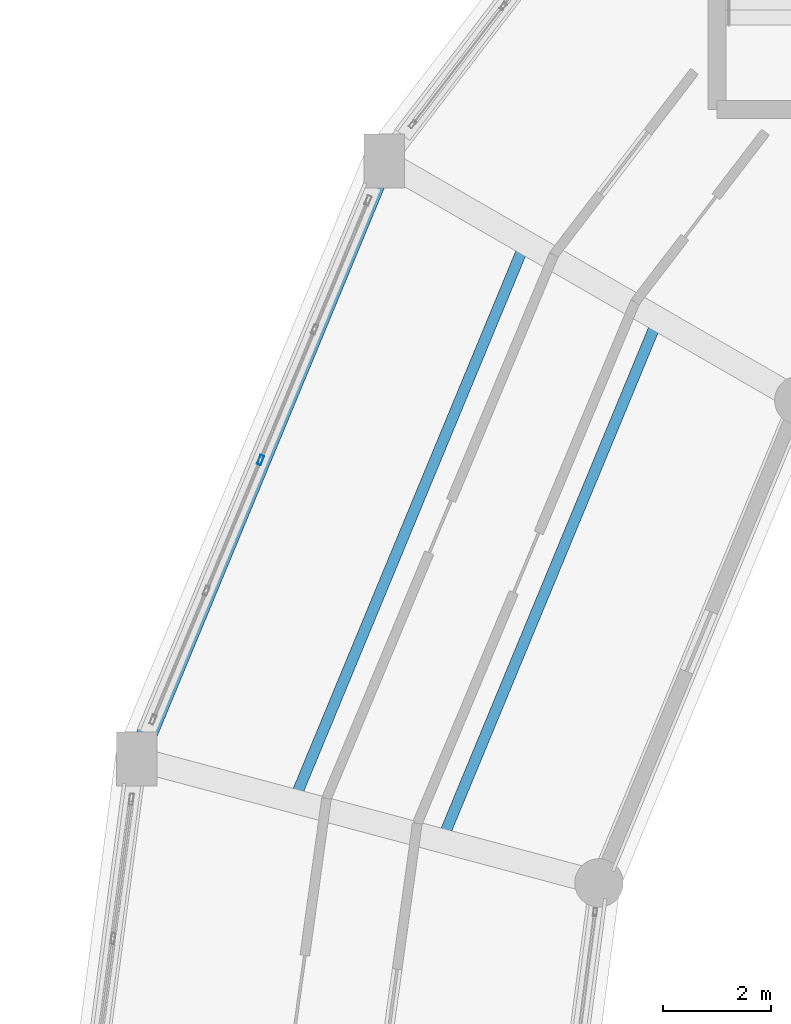
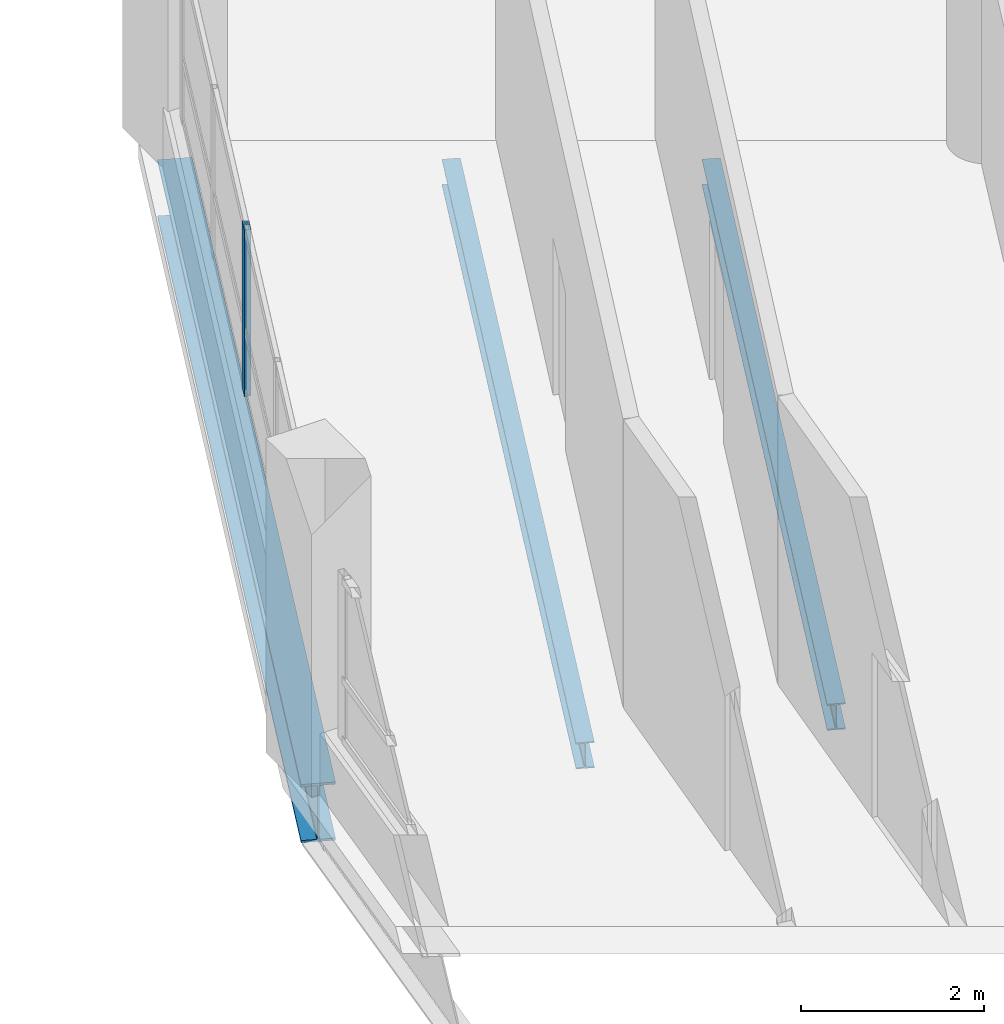
# One storey, part 48 of 128: 3 beams, 1 member, 1 element without a shape of its own.
"""IFC4 building model written with IfcOpenShell, lengths in metres."""

from ifc_helpers import new_model, si_unit, direction, frame, origin, origin_2d, place, context, subcontext, project, spatial, hollow_rectangle, i_section, extrude, material, layer, layer_set, material_profile, profile_set, type_object, element, aggregate, save


model = new_model("IFC4")

# Units and contexts
model_context = context("Model", 3, precision=1e-05, world=origin(), true_north=direction((0.0, 1.0)))
body_context = subcontext(model_context, "Body", "Model", "MODEL_VIEW")
ifc_project = project(units=[si_unit("LENGTHUNIT", "METRE"), si_unit("AREAUNIT", "SQUARE_METRE"), si_unit("VOLUMEUNIT", "CUBIC_METRE"), si_unit("PLANEANGLEUNIT", "RADIAN"), si_unit("MASSUNIT", "GRAM", prefix="KILO")], contexts=[model_context])

# Site, building, storey
site_placement = place(None, origin())
site = spatial("IfcSite", under=ifc_project, at=site_placement, CompositionType="ELEMENT")
building_placement = place(site_placement, origin())
building = spatial("IfcBuilding", under=site, at=building_placement, Name="Vespera Passage Community Centre", CompositionType="ELEMENT")
storey_placement = place(building_placement, frame((0.0, 0.0, 4.5)))
storey = spatial("IfcBuildingStorey", under=building, at=storey_placement, Name="L01", CompositionType="ELEMENT", Elevation=4.5)

# Beams
ifc_material_1 = material(Name="Steel ASTM A992 Grade 50", Category="steel")
ifc_material_profile_1 = material_profile(ifc_material_1, i_section(OverallWidth=0.2041015625, OverallDepth=0.3505859375, WebThickness=0.008544921875, FlangeThickness=0.01513671875, FilletRadius=0.01513671875, at=origin_2d()), Name="W14X48")
ifc_profile_set_1 = profile_set([ifc_material_profile_1], Name="Steel ASTM A992 Grade 50")
beam_type_1 = type_object("IfcBeamType", Name="BM-J-W14X48", PredefinedType="JOIST", material=ifc_profile_set_1)
beam_1_placement = place(storey_placement, frame((43.163330078125, 85.613037109375, -0.415283203125), z_axis=(-0.382683064417, -0.92387968492, 0.0), x_axis=(0.92387968492, -0.382683064417, 0.0)))
element("IfcBeam", 1, at=beam_1_placement, inside=storey, type_object=beam_type_1, Name="V4 L01 Floor Joist 10.1", PredefinedType="JOIST", context=body_context, shape_type="SweptSolid", body=[
    extrude(i_section(OverallWidth=0.2041015625, OverallDepth=0.3505859375, WebThickness=0.008544921875, FlangeThickness=0.01513671875, FilletRadius=0.01513671875, at=origin_2d()), origin(), (0.0, 0.0, 1.0), 10.5009765625),
])
beam_2_placement = place(storey_placement, frame((40.69677734375, 87.037109375, -0.415283203125), z_axis=(-0.38267202562, -0.923884257257, 0.0), x_axis=(0.923884257257, -0.38267202562, 0.0)))
element("IfcBeam", 2, at=beam_2_placement, inside=storey, type_object=beam_type_1, Name="V4 L01 Floor Joist 10.2", PredefinedType="JOIST", context=body_context, shape_type="SweptSolid", body=[
    extrude(i_section(OverallWidth=0.2041015625, OverallDepth=0.3505859375, WebThickness=0.008544921875, FlangeThickness=0.01513671875, FilletRadius=0.01513671875, at=origin_2d()), origin(), (0.0, 0.0, 1.0), 11.24462890625),
])
ifc_material_2 = material(Name="Steel ASTM A992 Grade 50", Category="steel")
ifc_material_profile_2 = material_profile(ifc_material_2, i_section(OverallWidth=0.382080078125, OverallDepth=0.779296875, WebThickness=0.01806640625, FlangeThickness=0.030029296875, FilletRadius=0.0166015625, at=origin_2d()), Name="W30X191")
ifc_profile_set_2 = profile_set([ifc_material_profile_2], Name="Steel ASTM A992 Grade 50")
beam_type_2 = type_object("IfcBeamType", Name="BM-SP-W30X191E", PredefinedType="SPANDREL", material=ifc_profile_set_2)
beam_3_placement = place(storey_placement, frame((38.076171875, 88.550048828125, -0.629638671875), z_axis=(-0.382688629799, -0.923877379647, 0.0), x_axis=(0.923877379647, -0.382688629799, 0.0)))
element("IfcBeam", 3, at=beam_3_placement, inside=storey, type_object=beam_type_2, Name="V4 L01 Outer Spandrel 10", PredefinedType="SPANDREL", context=body_context, shape_type="SweptSolid", body=[
    extrude(i_section(OverallWidth=0.382080078125, OverallDepth=0.779296875, WebThickness=0.01806640625, FlangeThickness=0.030029296875, FilletRadius=0.0166015625, at=origin_2d()), origin(), (0.0, 0.0, 1.0), 12.034423828125),
])

# Curtain wall, member
ifc_material_3 = material(Name="Anodized aluminium 6063-T6", Category="aluminium")
ifc_layer = layer(ifc_material_3, 0.159912109375)
ifc_layer_set = layer_set([ifc_layer], Name="Anodized aluminium 6063-T6")
curtain_wall_type = type_object("IfcCurtainWallType", Name="CW-20E", PredefinedType="NOTDEFINED", material=ifc_layer_set)
curtain_wall_placement = place(storey_placement, origin())
curtain_wall = element("IfcCurtainWall", 4, at=curtain_wall_placement, inside=storey, type_object=curtain_wall_type, Name="V4 L01 Outer Ribbon Curtain Wall 10", PredefinedType="NOTDEFINED")
ifc_material_4 = material(Name="Anodized aluminium 6063-T6", Category="aluminium")
ifc_material_profile_3 = material_profile(ifc_material_4, hollow_rectangle(XDim=0.074951171875, YDim=0.179931640625, WallThickness=0.0048828125, InnerFilletRadius=0.00244140625, OuterFilletRadius=0.0048828125, at=origin_2d()), Name="ALU180X75X5")
ifc_profile_set_3 = profile_set([ifc_material_profile_3], Name="Anodized aluminium 6063-T6")
member_type = type_object("IfcMemberType", Name="MB-CWM-180E", PredefinedType="MULLION", material=ifc_profile_set_3)
member_placement = place(storey_placement, frame((35.7734375, 82.99072265625, 0.820068359375), z_axis=(0.0, 0.0, 1.0), x_axis=(-0.923881309405, 0.382679142535, 0.0)))
member = element("IfcMember", 5, at=member_placement, type_object=member_type, Name="CW-20E mullion 3", PredefinedType="MULLION", context=body_context, shape_type="SweptSolid", body=[
    extrude(hollow_rectangle(XDim=0.074951171875, YDim=0.179931640625, WallThickness=0.0048828125, InnerFilletRadius=0.00244140625, OuterFilletRadius=0.0048828125, at=origin_2d()), origin(), (0.0, 0.0, 1.0), 2.2255859375),
])
aggregate(curtain_wall, [member])

save(model, "model.ifc")
